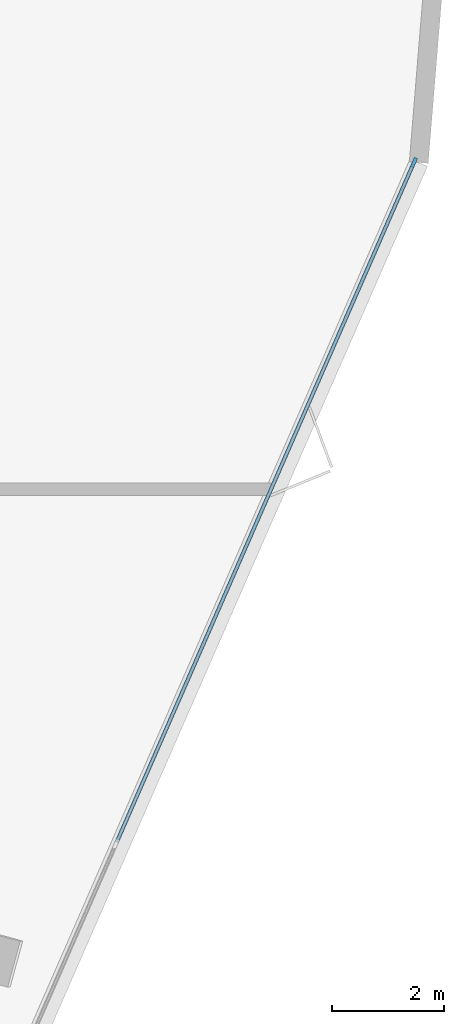
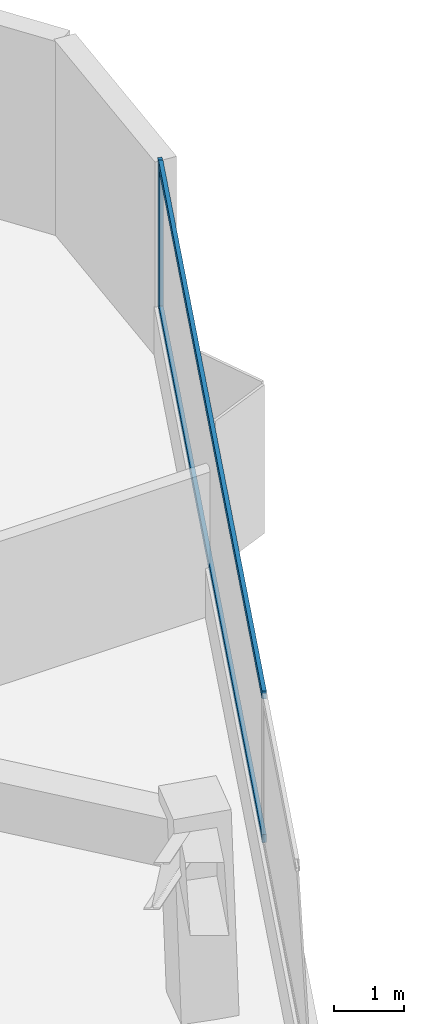
# One storey, part 10 of 19: 3 members, 1 element without a shape of its own.
"""IFC4 building model written with IfcOpenShell, lengths in metres."""

from ifc_helpers import new_model, si_unit, direction, frame, origin, origin_2d, place, context, subcontext, project, spatial, rectangle, extrude, material, layer, layer_set, material_profile, profile_set, type_object, element, aggregate, save


model = new_model("IFC4")

# Units and contexts
model_context = context("Model", 3, precision=1e-05, world=origin(), true_north=direction((0.0, 1.0)))
body_context = subcontext(model_context, "Body", "Model", "MODEL_VIEW")
ifc_project = project(units=[si_unit("LENGTHUNIT", "METRE"), si_unit("AREAUNIT", "SQUARE_METRE"), si_unit("VOLUMEUNIT", "CUBIC_METRE"), si_unit("PLANEANGLEUNIT", "RADIAN"), si_unit("MASSUNIT", "GRAM", prefix="KILO")], contexts=[model_context])

# Site, building, storey
site_placement = place(None, origin())
site = spatial("IfcSite", under=ifc_project, at=site_placement, CompositionType="ELEMENT")
building_placement = place(site_placement, origin())
building = spatial("IfcBuilding", under=site, at=building_placement, Name="Talyreon Biosciences Tower", CompositionType="ELEMENT")
storey_placement = place(building_placement, frame((0.0, 0.0, 85.949951171875)))
storey = spatial("IfcBuildingStorey", under=building, at=storey_placement, Name="L22", CompositionType="ELEMENT", Elevation=85.949951171875)

# Curtain wall, members
ifc_material_1 = material(Name="Thermally broken aluminium and low-E glazing", Category="aluminium")
ifc_layer = layer(ifc_material_1, 0.18994140625)
ifc_layer_set = layer_set([ifc_layer], Name="Thermally broken aluminium and low-E glazing")
curtain_wall_type = type_object("IfcCurtainWallType", Name="CurtainWall_Zone2Genomics", PredefinedType="NOTDEFINED", material=ifc_layer_set)
curtain_wall_placement = place(storey_placement, origin())
curtain_wall = element("IfcCurtainWall", 1, at=curtain_wall_placement, inside=storey, type_object=curtain_wall_type, Name="L22 Unitised Curtain Wall FCW-L22-08", PredefinedType="NOTDEFINED")
ifc_material_2 = material(Name="Anodised thermally broken aluminium", Category="aluminium")
ifc_material_profile_1 = material_profile(ifc_material_2, rectangle(XDim=0.06494140625, YDim=0.179931640625, at=origin_2d()), Name="ALUM MULLION 65x180")
ifc_profile_set_1 = profile_set([ifc_material_profile_1], Name="Anodised thermally broken aluminium")
member_type_1 = type_object("IfcMemberType", Name="CWMullion_65x180", PredefinedType="MULLION", material=ifc_profile_set_1)
member_1_placement = place(storey_placement, frame((97.462646484375, 83.43896484375, 0.81005859375), z_axis=(0.0, 0.0, 1.0), x_axis=(0.916213942072, -0.400689421314, 0.0)))
member_1 = element("IfcMember", 2, at=member_1_placement, type_object=member_type_1, Name="CW3 mullion 1", PredefinedType="MULLION", context=body_context, shape_type="SweptSolid", body=[
    extrude(rectangle(XDim=0.06494140625, YDim=0.179931640625, at=origin_2d()), origin(), (0.0, 0.0, 1.0), 2.56494140625),
])
ifc_material_profile_2 = material_profile(ifc_material_2, rectangle(XDim=0.06494140625, YDim=0.139892578125, at=origin_2d()), Name="ALUM TRANSOM 65x140")
ifc_profile_set_2 = profile_set([ifc_material_profile_2], Name="Anodised thermally broken aluminium")
member_type_2 = type_object("IfcMemberType", Name="CWTransom_65x140", PredefinedType="USERDEFINED", material=ifc_profile_set_2)
member_2_placement = place(storey_placement, frame((97.449462890625, 83.4091796875, 0.842529296875), z_axis=(-0.40069337817, -0.916212211603, 0.0), x_axis=(0.916212211603, -0.40069337817, 0.0)))
member_2 = element("IfcMember", 3, at=member_2_placement, type_object=member_type_2, Name="CW3 transom 1.1", ObjectType="TRANSOM", PredefinedType="USERDEFINED", context=body_context, shape_type="SweptSolid", body=[
    extrude(rectangle(XDim=0.06494140625, YDim=0.139892578125, at=origin_2d()), origin(), (0.0, 0.0, 1.0), 13.271728515625),
])
member_3_placement = place(storey_placement, frame((97.449462890625, 83.4091796875, 3.342529296875), z_axis=(-0.40069337817, -0.916212211603, 0.0), x_axis=(0.916212211603, -0.40069337817, 0.0)))
member_3 = element("IfcMember", 4, at=member_3_placement, type_object=member_type_2, Name="CW3 transom 1.2", ObjectType="TRANSOM", PredefinedType="USERDEFINED", context=body_context, shape_type="SweptSolid", body=[
    extrude(rectangle(XDim=0.06494140625, YDim=0.139892578125, at=origin_2d()), origin(), (0.0, 0.0, 1.0), 13.271728515625),
])
aggregate(curtain_wall, [member_1, member_2, member_3])

save(model, "model.ifc")
